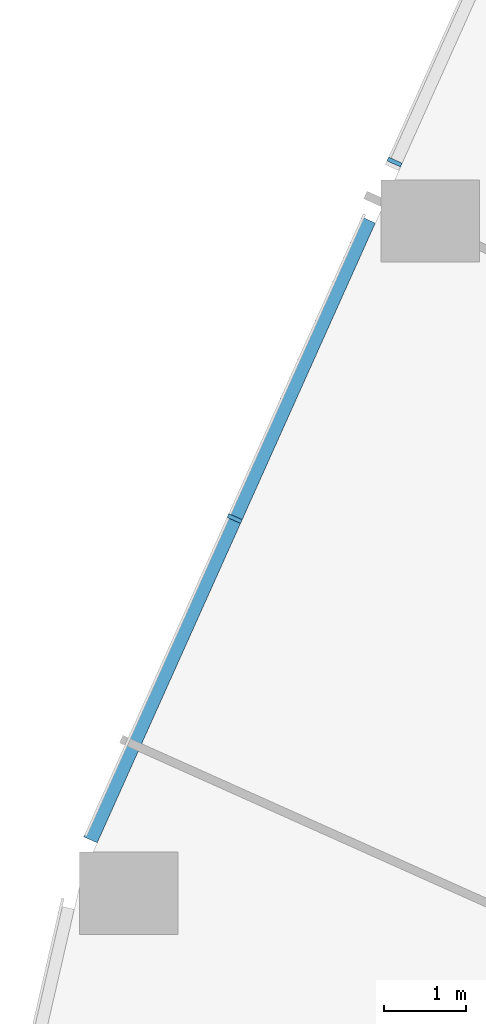
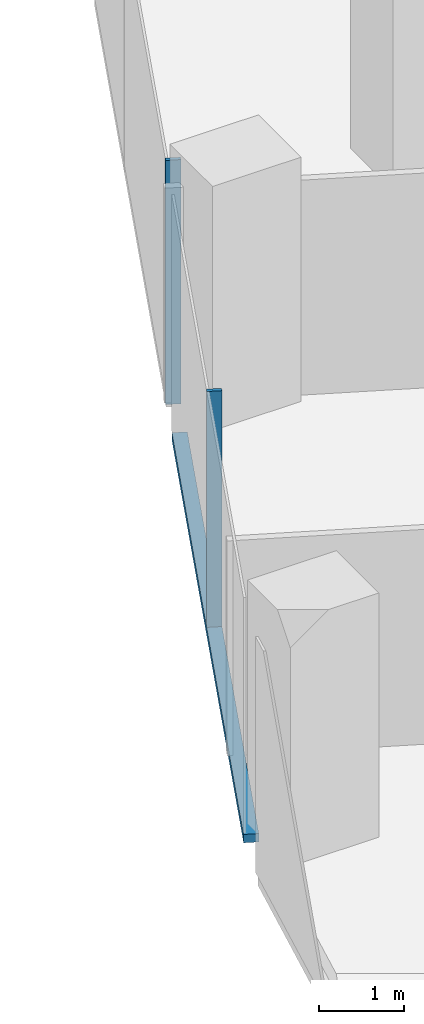
# One storey, part 4 of 34: 3 members, 1 element without a shape of its own.
"""IFC4 building model written with IfcOpenShell, lengths in metres."""

import ifcopenshell
import ifcopenshell.guid

model = None  # the IFC model being written
_history = None  # IfcOwnerHistory: only IFC2X3 demands one
_inside = {}  # id of a spatial element -> (the spatial element, [elements in it])
_under = {}  # id of a project, library or spatial element -> (it, [spatial elements below it])
_declared = {}  # id of a project -> (the project, [libraries it declares])
_typed = {}  # id of a type object -> (the type object, [elements of that type])
_made_of = {}  # id of a material, layer set ... -> (it, [elements and type objects made of it])


def new_model(schema):
    """Start an empty IFC model of exactly this schema.

    Asked for "IFC4X3", IfcOpenShell would pick the latest addendum, in which some entities
    have other attributes; the version numbers below select the first issue.
    IFC2X3 requires an IfcOwnerHistory on every rooted entity: one is made here for all.
    """
    global model, _history
    if schema == "IFC4X3":
        model = ifcopenshell.file(schema_version=(4, 3, 0, 0))
    else:
        model = ifcopenshell.file(schema=schema)
    _inside.clear()
    _under.clear()
    _declared.clear()
    _typed.clear()
    _made_of.clear()
    _history = None
    if model.schema == "IFC2X3":
        org = make("IfcOrganization", Name="unknown")
        user = make(
            "IfcPersonAndOrganization",
            ThePerson=make("IfcPerson", FamilyName="unknown"),
            TheOrganization=org,
        )
        app = make(
            "IfcApplication",
            ApplicationDeveloper=org,
            Version="unknown",
            ApplicationFullName="unknown",
            ApplicationIdentifier="unknown",
        )
        _history = make(
            "IfcOwnerHistory",
            OwningUser=user,
            OwningApplication=app,
            ChangeAction="ADDED",
            CreationDate=0,
        )
    return model


def make(cls, **values):
    """One entity of the class cls with the attributes given. An attribute that is None is left unset."""
    return model.create_entity(
        cls, **{name: value for name, value in values.items() if value is not None}
    )


def rooted(cls, **values):
    """An entity with a GlobalId (a new one), such as an element, a storey or a relation."""
    return make(cls, GlobalId=ifcopenshell.guid.new(), OwnerHistory=_history, **values)


def si_unit(unit_type, name, prefix=None):
    """IfcSIUnit, for example si_unit("LENGTHUNIT", "METRE", prefix="MILLI")."""
    return make("IfcSIUnit", UnitType=unit_type, Prefix=prefix, Name=name)


def assignment(units):
    """IfcUnitAssignment: the units of a project."""
    return None if units is None else make("IfcUnitAssignment", Units=units)


def point(xyz):
    """IfcCartesianPoint."""
    return None if xyz is None else make("IfcCartesianPoint", Coordinates=xyz)


def direction(xyz):
    """IfcDirection."""
    return None if xyz is None else make("IfcDirection", DirectionRatios=xyz)


def frame(location, z_axis=None, x_axis=None):
    """IfcAxis2Placement3D, a coordinate frame: its origin and axes. An axis left out is left unset."""
    return make(
        "IfcAxis2Placement3D",
        Location=point(location),
        Axis=direction(z_axis),
        RefDirection=direction(x_axis),
    )


def frame_2d(location, x_axis=None):
    """IfcAxis2Placement2D, a coordinate frame in the plane: its origin and x axis."""
    return make(
        "IfcAxis2Placement2D", Location=point(location), RefDirection=direction(x_axis)
    )


def origin():
    """The frame at (0, 0, 0) with its axes left unset."""
    return frame((0.0, 0.0, 0.0))


def origin_2d():
    """The frame at (0, 0) in the plane with its x axis left unset."""
    return frame_2d((0.0, 0.0))


def place(relative_to, where):
    """IfcLocalPlacement: puts the frame where relative to a parent placement (None: the world)."""
    return make(
        "IfcLocalPlacement", PlacementRelTo=relative_to, RelativePlacement=where
    )


def context(
    kind, dimensions, precision=None, world=None, true_north=None, identifier=None
):
    """IfcGeometricRepresentationContext, for example the 3D "Model" context."""
    return make(
        "IfcGeometricRepresentationContext",
        ContextIdentifier=identifier,
        ContextType=kind,
        CoordinateSpaceDimension=dimensions,
        Precision=precision,
        WorldCoordinateSystem=world,
        TrueNorth=true_north,
    )


def subcontext(parent, identifier, kind, view, scale=None):
    """IfcGeometricRepresentationSubContext, for example "Body" below "Model"."""
    return make(
        "IfcGeometricRepresentationSubContext",
        ContextIdentifier=identifier,
        ContextType=kind,
        ParentContext=parent,
        TargetScale=scale,
        TargetView=view,
    )


def project(units=None, contexts=None):
    """IfcProject with its units and contexts."""
    return rooted(
        "IfcProject",
        Name="project",
        RepresentationContexts=contexts,
        UnitsInContext=assignment(units),
    )


def spatial(cls, under=None, at=None, **own):
    """A site, building, storey or space (cls), placed at a placement, below another one or the project."""
    s = rooted(cls, ObjectPlacement=at, **own)
    if under is not None:
        _under.setdefault(under.id(), (under, []))[1].append(s)
    return s


def profile(cls, at=None, kind="AREA", **sizes):
    """A parametric profile (cls). Its sizes go by their IFC names, for example OverallWidth=200.0."""
    return make(cls, ProfileType=kind, Position=at, **sizes)


def rectangle(**sizes):
    """IfcRectangleProfileDef."""
    return profile("IfcRectangleProfileDef", **sizes)


def extrude(swept, where, along, depth):
    """IfcExtrudedAreaSolid: the profile swept, set in the frame where, extruded along a direction by depth."""
    return make(
        "IfcExtrudedAreaSolid",
        SweptArea=swept,
        Position=where,
        ExtrudedDirection=direction(along),
        Depth=depth,
    )


def shape(context_of_items, identifier, shape_type, items):
    """IfcShapeRepresentation: the items that make up one representation, for example the "Body"."""
    return make(
        "IfcShapeRepresentation",
        ContextOfItems=context_of_items,
        RepresentationIdentifier=identifier,
        RepresentationType=shape_type,
        Items=items,
    )


def material(Name=None, Category=None):
    """IfcMaterial."""
    return make("IfcMaterial", Name=Name, Category=Category)


def material_profile(
    of_material, cross_section, Name=None, Category=None, Priority=None
):
    """IfcMaterialProfile: a cross section and its material."""
    return make(
        "IfcMaterialProfile",
        Name=Name,
        Material=of_material,
        Profile=cross_section,
        Priority=Priority,
        Category=Category,
    )


def profile_set(profiles, Name=None, composite=None):
    """IfcMaterialProfileSet."""
    return make(
        "IfcMaterialProfileSet",
        Name=Name,
        MaterialProfiles=profiles,
        CompositeProfile=composite,
    )


def made_of(thing, what):
    """Note that an element or type object is made of a material, layer set ...; save() writes the relation."""
    if what is not None:
        _made_of.setdefault(what.id(), (what, []))[1].append(thing)
    return thing


def type_object(cls, material=None, **own):
    """A type object (cls), such as IfcWallType, which elements share."""
    return made_of(rooted(cls, **own), material)


def element(
    cls,
    number,
    at=None,
    inside=None,
    cuts=None,
    type_object=None,
    material=None,
    context=None,
    identifier="Body",
    shape_type=None,
    held_by="IfcProductDefinitionShape",
    body=None,
    shapes=None,
    **own,
):
    """One element of the class cls, such as IfcWall. Its Tag is "e" and its number.

    at: its placement. inside: the storey or other place that contains it. cuts: it is an
    opening in that element (IfcRelVoidsElement). A single representation is given by context,
    identifier, shape_type and body (its items); several are given by shapes. held_by: the class
    of the entity that holds the representations. save() writes the other relations.
    """
    e = rooted(cls, Tag="e%d" % number, ObjectPlacement=at, **own)
    if body is not None:
        shapes = [shape(context, identifier, shape_type, body)]
    if shapes is not None:
        e.Representation = make(held_by, Representations=shapes)
    if inside is not None:
        _inside.setdefault(inside.id(), (inside, []))[1].append(e)
    if cuts is not None:
        rooted(
            "IfcRelVoidsElement", RelatingBuildingElement=cuts, RelatedOpeningElement=e
        )
    if type_object is not None:
        _typed.setdefault(type_object.id(), (type_object, []))[1].append(e)
    return made_of(e, material)


def aggregate(whole, parts):
    """IfcRelAggregates: a whole, such as a stair, and the parts it consists of."""
    return rooted("IfcRelAggregates", RelatingObject=whole, RelatedObjects=parts)


def save(model, path):
    """Write the relations noted so far, then the file.

    IfcRelAggregates (storeys below a building ...), IfcRelContainedInSpatialStructure (elements
    in a storey), IfcRelDefinesByType, IfcRelAssociatesMaterial and IfcRelDeclares: one each for
    every whole, place, type object, material and project.
    """
    for whole, parts in _under.values():
        aggregate(whole, parts)
    for where, things in _inside.values():
        rooted(
            "IfcRelContainedInSpatialStructure",
            RelatedElements=things,
            RelatingStructure=where,
        )
    for kind, things in _typed.values():
        rooted("IfcRelDefinesByType", RelatedObjects=things, RelatingType=kind)
    for what, things in _made_of.values():
        rooted("IfcRelAssociatesMaterial", RelatedObjects=things, RelatingMaterial=what)
    for by, libraries in _declared.values():
        rooted("IfcRelDeclares", RelatingContext=by, RelatedDefinitions=libraries)
    model.write(path)


model = new_model("IFC4")

# Units and contexts
model_context = context("Model", 3, precision=1e-05, world=origin(), true_north=direction((0.0, 1.0)))
body_context = subcontext(model_context, "Body", "Model", "MODEL_VIEW")
ifc_project = project(units=[si_unit("LENGTHUNIT", "METRE"), si_unit("AREAUNIT", "SQUARE_METRE"), si_unit("VOLUMEUNIT", "CUBIC_METRE"), si_unit("PLANEANGLEUNIT", "RADIAN"), si_unit("MASSUNIT", "GRAM", prefix="KILO")], contexts=[model_context])

# Site, building, storey
site_placement = place(None, origin())
site = spatial("IfcSite", under=ifc_project, at=site_placement, CompositionType="ELEMENT")
building_placement = place(site_placement, origin())
building = spatial("IfcBuilding", under=site, at=building_placement, Name="Orlundy Tower", CompositionType="ELEMENT")
storey_placement = place(building_placement, frame((0.0, 0.0, 130.699951171875)))
storey = spatial("IfcBuildingStorey", under=building, at=storey_placement, Name="L33", CompositionType="ELEMENT", Elevation=130.699951171875)

# Curtain wall, members
ifc_material_1 = material(Name="Aluminium bronze anodised", Category="aluminium")
curtain_wall_type = type_object("IfcCurtainWallType", Name="CW1 wall", PredefinedType="NOTDEFINED", material=ifc_material_1)
curtain_wall_placement = place(storey_placement, origin())
curtain_wall = element("IfcCurtainWall", 1, at=curtain_wall_placement, inside=storey, type_object=curtain_wall_type, Name="CW1 run 00", PredefinedType="NOTDEFINED")
ifc_material_2 = material(Name="Aluminium bronze anodised", Category="aluminium")
ifc_material_profile_1 = material_profile(ifc_material_2, rectangle(XDim=0.179931640625, YDim=0.050048828125, at=origin_2d()), Name="CW1 mullion 50x180")
ifc_profile_set_1 = profile_set([ifc_material_profile_1], Name="Aluminium bronze anodised")
member_type_1 = type_object("IfcMemberType", Name="CW1 mullion 50x180", PredefinedType="MULLION", material=ifc_profile_set_1)
member_1_placement = place(storey_placement, frame((-37.26123046875, -33.966552734375, -0.39990234375), z_axis=(0.0, 0.0, 1.0), x_axis=(-0.912353169834, 0.409404071174, 0.0)))
member_1 = element("IfcMember", 2, at=member_1_placement, type_object=member_type_1, Name="CW1 mullion 2", PredefinedType="MULLION", context=body_context, shape_type="SweptSolid", body=[
    extrude(rectangle(XDim=0.179931640625, YDim=0.050048828125, at=origin_2d()), origin(), (0.0, 0.0, 1.0), 3.5),
])
member_2_placement = place(storey_placement, frame((-35.314453125, -29.628173828125, -0.39990234375), z_axis=(0.0, 0.0, 1.0), x_axis=(-0.912353169834, 0.409404071174, 0.0)))
member_2 = element("IfcMember", 3, at=member_2_placement, type_object=member_type_1, Name="CW1 mullion 3", PredefinedType="MULLION", context=body_context, shape_type="SweptSolid", body=[
    extrude(rectangle(XDim=0.179931640625, YDim=0.050048828125, at=origin_2d()), origin(), (0.0, 0.0, 1.0), 3.5),
])
ifc_material_3 = material(Name="Aluminium bronze anodised", Category="aluminium")
ifc_material_profile_2 = material_profile(ifc_material_3, rectangle(XDim=0.179931640625, YDim=0.1201171875, at=origin_2d()), Name="CW1 transom 180x120")
ifc_profile_set_2 = profile_set([ifc_material_profile_2], Name="Aluminium bronze anodised")
member_type_2 = type_object("IfcMemberType", Name="CW1 transom 180x120", PredefinedType="USERDEFINED", material=ifc_profile_set_2)
member_3_placement = place(storey_placement, frame((-39.015869140625, -37.876953125, -0.33984375), z_axis=(0.409379753605, 0.91236408157, 0.0), x_axis=(-0.91236408157, 0.409379753605, 0.0)))
member_3 = element("IfcMember", 4, at=member_3_placement, type_object=member_type_2, Name="CW1 transom", ObjectType="TRANSOM", PredefinedType="USERDEFINED", context=body_context, shape_type="SweptSolid", body=[
    extrude(rectangle(XDim=0.179931640625, YDim=0.1201171875, at=origin_2d()), origin(), (0.0, 0.0, 1.0), 8.26806640625),
])
aggregate(curtain_wall, [member_1, member_2, member_3])

save(model, "model.ifc")
